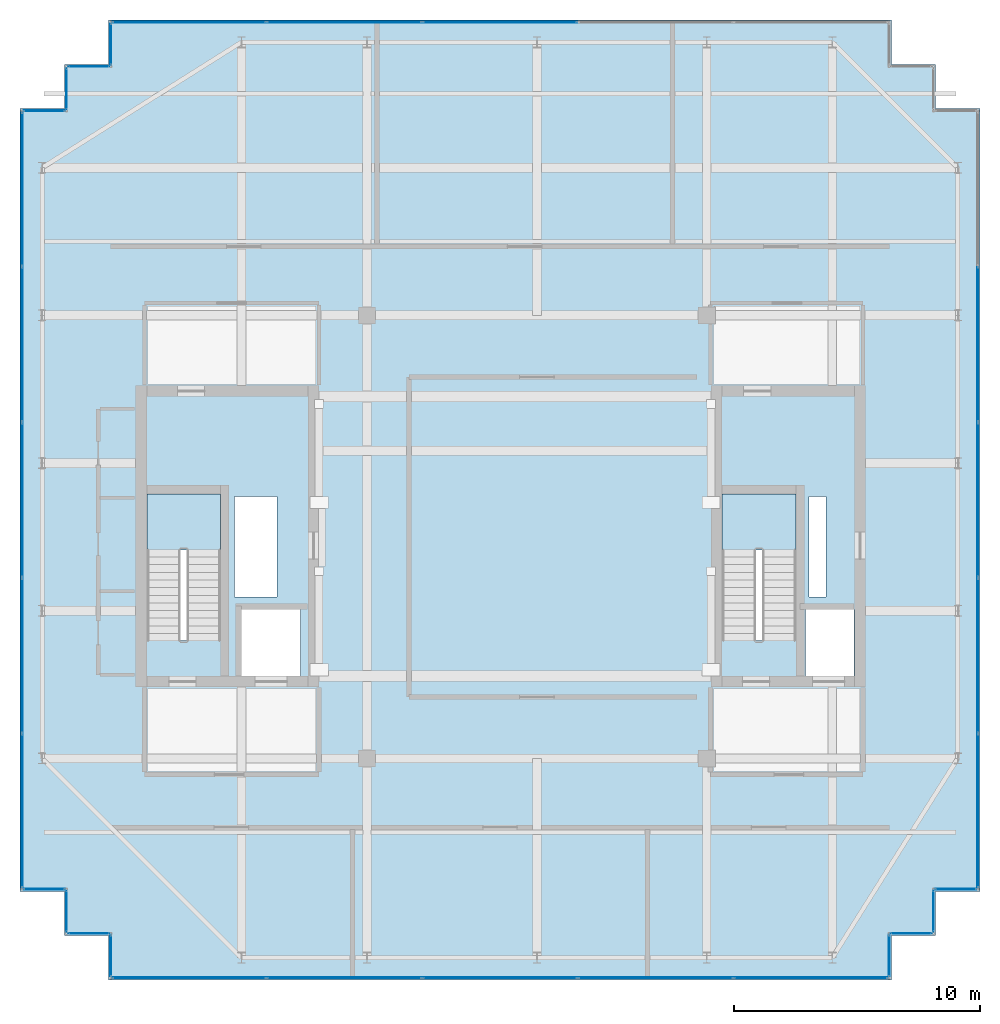
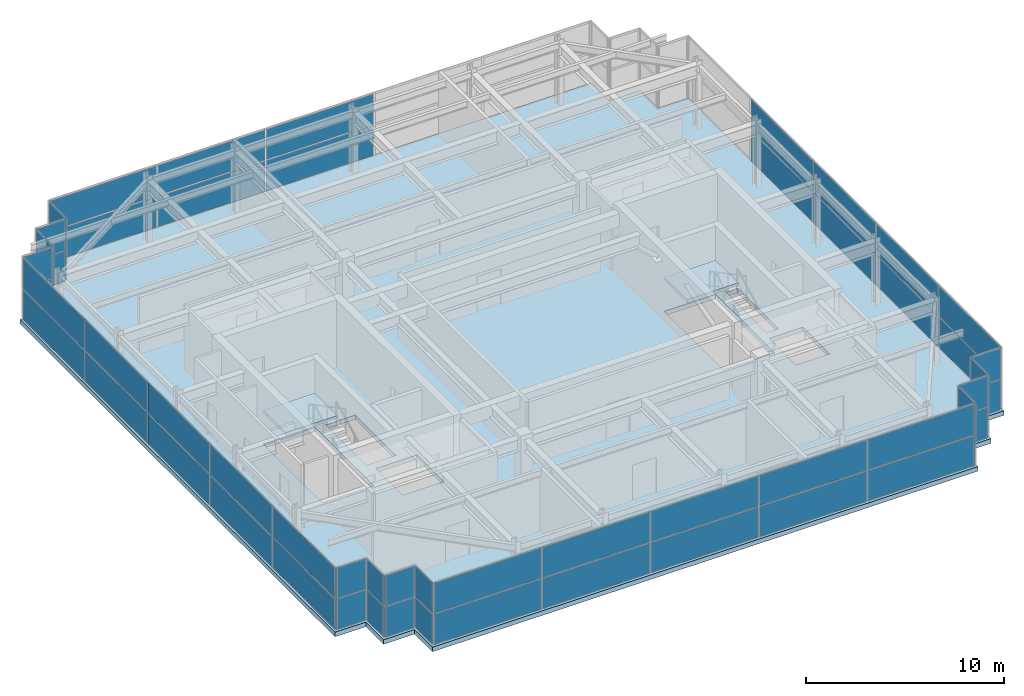
# One storey, part 29 of 32: 58 plates, 3 slabs, 18 elements without a shape of their own.
"""IFC4 building model written with IfcOpenShell, lengths in metres."""

from ifc_helpers import new_model, si_unit, direction, frame, origin, origin_2d, place, context, subcontext, project, spatial, polyline, rectangle, outline, extrude, source, transform, mapped, material, layer, layer_set, type_object, element, aggregate, save


model = new_model("IFC4")

# Units and contexts
model_context = context("Model", 3, precision=1e-05, world=origin(), true_north=direction((0.0, 1.0)))
body_context = subcontext(model_context, "Body", "Model", "MODEL_VIEW")
ifc_project = project(units=[si_unit("LENGTHUNIT", "METRE"), si_unit("AREAUNIT", "SQUARE_METRE"), si_unit("VOLUMEUNIT", "CUBIC_METRE"), si_unit("PLANEANGLEUNIT", "RADIAN"), si_unit("MASSUNIT", "GRAM", prefix="KILO")], contexts=[model_context])

# Site, building, storey
site_placement = place(None, origin())
site = spatial("IfcSite", under=ifc_project, at=site_placement, CompositionType="ELEMENT")
building_placement = place(site_placement, origin())
building = spatial("IfcBuilding", under=site, at=building_placement, Name="Khoralis Quay Care Tower", CompositionType="ELEMENT")
storey_placement = place(building_placement, frame((0.0, 0.0, 297.89990234375)))
storey = spatial("IfcBuildingStorey", under=building, at=storey_placement, Name="L78", CompositionType="ELEMENT", Elevation=297.89990234375)

# Stair, slab
ifc_material_1 = material(Name="Precast concrete C45/55", Category="concrete")
stair_type = type_object("IfcStairType", Name="ST-TWR-DOGLEG-1400", PredefinedType="HALF_TURN_STAIR", material=ifc_material_1)
stair_1_placement = place(storey_placement, origin())
stair_1 = element("IfcStair", 1, at=stair_1_placement, inside=storey, type_object=stair_type, Name="L78 West Core Exit Stair ST-T1", PredefinedType="HALF_TURN_STAIR")
ifc_layer_1 = layer(ifc_material_1, 0.199951171875)
ifc_layer_set_1 = layer_set([ifc_layer_1], Name="Precast concrete C45/55")
slab_type_1 = type_object("IfcSlabType", Name="SLB-LANDING-200", PredefinedType="LANDING", material=ifc_layer_set_1)
slab_1_placement = place(storey_placement, frame((0.0, 0.0, 1.900146484375)))
slab_1 = element("IfcSlab", 2, at=slab_1_placement, type_object=slab_type_1, Name="ST-T1 landing 1", PredefinedType="LANDING", context=body_context, shape_type="SweptSolid", body=[
    extrude(outline(polyline([(11.14990234375, 20.4599609375), (11.14990234375, 22.75), (8.14990234375, 22.75), (8.14990234375, 20.4599609375), (11.14990234375, 20.4599609375)])), origin(), (0.0, 0.0, 1.0), 0.199951171875),
])
aggregate(stair_1, [slab_1])

stair_2_placement = place(storey_placement, origin())
stair_2 = element("IfcStair", 3, at=stair_2_placement, inside=storey, type_object=stair_type, Name="L78 East Core Exit Stair ST-T2", PredefinedType="HALF_TURN_STAIR")
slab_2_placement = place(storey_placement, frame((0.0, 0.0, 1.900146484375)))
slab_2 = element("IfcSlab", 4, at=slab_2_placement, type_object=slab_type_1, Name="ST-T2 landing 1", PredefinedType="LANDING", context=body_context, shape_type="SweptSolid", body=[
    extrude(outline(polyline([(34.52001953125, 20.4599609375), (34.52001953125, 22.75), (31.52001953125, 22.75), (31.52001953125, 20.4599609375), (34.52001953125, 20.4599609375)])), origin(), (0.0, 0.0, 1.0), 0.199951171875),
])
aggregate(stair_2, [slab_2])

# Slab
ifc_material_2 = material(Name="Concrete C40/50", Category="concrete")
ifc_layer_2 = layer(ifc_material_2, 0.280029296875)
ifc_layer_set_2 = layer_set([ifc_layer_2], Name="Concrete C40/50")
slab_type_2 = type_object("IfcSlabType", Name="SLB-TWR-280", PredefinedType="FLOOR", material=ifc_layer_set_2)
slab_3_placement = place(storey_placement, frame((0.0, 0.0, -0.27978515625)))
element("IfcSlab", 5, at=slab_3_placement, inside=storey, type_object=slab_type_2, Name="Tower Floor Slab L78", PredefinedType="FLOOR", context=body_context, shape_type="SweptSolid", body=[
    extrude(outline(polyline([(6.60009765625, 3.0), (38.39990234375, 3.0), (38.39990234375, 4.800048828125), (40.199951171875, 4.800048828125), (40.199951171875, 6.60009765625), (42.0, 6.60009765625), (42.0, 38.39990234375), (40.199951171875, 38.39990234375), (40.199951171875, 40.199951171875), (38.39990234375, 40.199951171875), (38.39990234375, 42.0), (6.60009765625, 42.0), (6.60009765625, 40.199951171875), (4.800048828125, 40.199951171875), (4.800048828125, 38.39990234375), (3.0, 38.39990234375), (3.0, 6.60009765625), (4.800048828125, 6.60009765625), (4.800048828125, 4.800048828125), (6.60009765625, 4.800048828125), (6.60009765625, 3.0)]), holes=[polyline([(11.14990234375, 16.800048828125), (11.14990234375, 22.75), (8.14990234375, 22.75), (8.14990234375, 16.800048828125), (11.14990234375, 16.800048828125)]), polyline([(34.52001953125, 16.800048828125), (34.52001953125, 22.75), (31.52001953125, 22.75), (31.52001953125, 16.800048828125), (34.52001953125, 16.800048828125)]), polyline([(12.0, 15.35009765625), (14.39990234375, 15.35009765625), (14.39990234375, 18.050048828125), (12.0, 18.050048828125), (12.0, 15.35009765625)]), polyline([(34.919921875, 15.35009765625), (36.8798828125, 15.35009765625), (36.8798828125, 18.050048828125), (34.919921875, 18.050048828125), (34.919921875, 15.35009765625)]), polyline([(11.719970703125, 18.550048828125), (13.449951171875, 18.550048828125), (13.449951171875, 22.64990234375), (11.719970703125, 22.64990234375), (11.719970703125, 18.550048828125)]), polyline([(35.050048828125, 18.550048828125), (35.75, 18.550048828125), (35.75, 22.64990234375), (35.050048828125, 22.64990234375), (35.050048828125, 18.550048828125)])]), origin(), (0.0, 0.0, 1.0), 0.27978515625),
])

# Curtain wall, plates
ifc_material_3 = material(Name="Pale anodised aluminium", Category="aluminium")
ifc_layer_3 = layer(ifc_material_3, 0.199951171875)
ifc_layer_set_3 = layer_set([ifc_layer_3], Name="Pale anodised aluminium")
curtain_wall_type = type_object("IfcCurtainWallType", Name="CW-SYS-LANTERN", PredefinedType="NOTDEFINED", material=ifc_layer_set_3)
curtain_wall_1_placement = place(storey_placement, origin())
curtain_wall_1 = element("IfcCurtainWall", 6, at=curtain_wall_1_placement, inside=storey, type_object=curtain_wall_type, Name="L78 Unitised Curtain Wall CW-LN-L78-01", PredefinedType="NOTDEFINED")
ifc_material_4 = material(Name="Spandrel insulated shadow-box glass", Category="glass")
ifc_layer_4 = layer(ifc_material_4, 0.0439453125)
ifc_layer_set_4 = layer_set([ifc_layer_4], Name="Spandrel insulated shadow-box glass")
plate_type = type_object("IfcPlateType", Name="PNL-SPN-44", PredefinedType="CURTAIN_PANEL", material=ifc_layer_set_4)
shared_shape_1 = source(origin(), body_context, "Body", "SweptSolid", [
    extrude(rectangle(XDim=6.23388671875, YDim=0.028076171875, at=origin_2d()), origin(), (0.0, 0.0, 1.0), 1.8701171875),
])
plate_1_placement = place(storey_placement, frame((9.866943359375, 3.090087890625, 0.06005859375), z_axis=(0.0, 0.0, 1.0), x_axis=(1.0, 0.0, 0.0)))
plate_1 = element("IfcPlate", 7, at=plate_1_placement, type_object=plate_type, Name="CW5 panel 1.1", PredefinedType="CURTAIN_PANEL", context=body_context, shape_type="MappedRepresentation", body=[
    mapped(shared_shape_1, transform((0.0, 0.0, 0.0), scale=1.0)),
])
plate_2_placement = place(storey_placement, frame((9.866943359375, 3.090087890625, 1.989990234375), z_axis=(0.0, 0.0, 1.0), x_axis=(1.0, 0.0, 0.0)))
plate_2 = element("IfcPlate", 8, at=plate_2_placement, type_object=plate_type, Name="CW5 panel 1.2", PredefinedType="CURTAIN_PANEL", context=body_context, shape_type="MappedRepresentation", body=[
    mapped(shared_shape_1, transform((0.0, 0.0, 0.0), scale=1.0)),
])
plate_3_placement = place(storey_placement, frame((35.133056640625, 3.090087890625, 0.06005859375), z_axis=(0.0, 0.0, 1.0), x_axis=(1.0, 0.0, 0.0)))
plate_3 = element("IfcPlate", 9, at=plate_3_placement, type_object=plate_type, Name="CW5 panel 5.1", PredefinedType="CURTAIN_PANEL", context=body_context, shape_type="MappedRepresentation", body=[
    mapped(shared_shape_1, transform((0.0, 0.0, 0.0), scale=1.0)),
])
plate_4_placement = place(storey_placement, frame((35.133056640625, 3.090087890625, 1.989990234375), z_axis=(0.0, 0.0, 1.0), x_axis=(1.0, 0.0, 0.0)))
plate_4 = element("IfcPlate", 10, at=plate_4_placement, type_object=plate_type, Name="CW5 panel 5.2", PredefinedType="CURTAIN_PANEL", context=body_context, shape_type="MappedRepresentation", body=[
    mapped(shared_shape_1, transform((0.0, 0.0, 0.0), scale=1.0)),
])

curtain_wall_2_placement = place(storey_placement, origin())
curtain_wall_2 = element("IfcCurtainWall", 11, at=curtain_wall_2_placement, inside=storey, type_object=curtain_wall_type, Name="L78 Unitised Curtain Wall CW-LN-L78-06", PredefinedType="NOTDEFINED")
plate_5_placement = place(storey_placement, frame((41.909912109375, 9.866943359375, 0.06005859375), z_axis=(0.0, 0.0, 1.0), x_axis=(0.0, 1.0, 0.0)))
plate_5 = element("IfcPlate", 12, at=plate_5_placement, type_object=plate_type, Name="CW5 panel 1.1", PredefinedType="CURTAIN_PANEL", context=body_context, shape_type="MappedRepresentation", body=[
    mapped(shared_shape_1, transform((0.0, 0.0, 0.0), scale=1.0)),
])
plate_6_placement = place(storey_placement, frame((41.909912109375, 9.866943359375, 1.989990234375), z_axis=(0.0, 0.0, 1.0), x_axis=(0.0, 1.0, 0.0)))
plate_6 = element("IfcPlate", 13, at=plate_6_placement, type_object=plate_type, Name="CW5 panel 1.2", PredefinedType="CURTAIN_PANEL", context=body_context, shape_type="MappedRepresentation", body=[
    mapped(shared_shape_1, transform((0.0, 0.0, 0.0), scale=1.0)),
])

curtain_wall_3_placement = place(storey_placement, origin())
curtain_wall_3 = element("IfcCurtainWall", 14, at=curtain_wall_3_placement, inside=storey, type_object=curtain_wall_type, Name="L78 Unitised Curtain Wall CW-LN-L78-11", PredefinedType="NOTDEFINED")
plate_7_placement = place(storey_placement, frame((9.866943359375, 41.909912109375, 0.06005859375), z_axis=(0.0, 0.0, 1.0), x_axis=(-1.0, 0.0, 0.0)))
plate_7 = element("IfcPlate", 15, at=plate_7_placement, type_object=plate_type, Name="CW5 panel 5.1", PredefinedType="CURTAIN_PANEL", context=body_context, shape_type="MappedRepresentation", body=[
    mapped(shared_shape_1, transform((0.0, 0.0, 0.0), scale=1.0)),
])
plate_8_placement = place(storey_placement, frame((9.866943359375, 41.909912109375, 1.989990234375), z_axis=(0.0, 0.0, 1.0), x_axis=(-1.0, 0.0, 0.0)))
plate_8 = element("IfcPlate", 16, at=plate_8_placement, type_object=plate_type, Name="CW5 panel 5.2", PredefinedType="CURTAIN_PANEL", context=body_context, shape_type="MappedRepresentation", body=[
    mapped(shared_shape_1, transform((0.0, 0.0, 0.0), scale=1.0)),
])

curtain_wall_4_placement = place(storey_placement, origin())
curtain_wall_4 = element("IfcCurtainWall", 17, at=curtain_wall_4_placement, inside=storey, type_object=curtain_wall_type, Name="L78 Unitised Curtain Wall CW-LN-L78-16", PredefinedType="NOTDEFINED")
plate_9_placement = place(storey_placement, frame((3.090087890625, 35.133056640625, 0.06005859375), z_axis=(0.0, 0.0, 1.0), x_axis=(0.0, -1.0, 0.0)))
plate_9 = element("IfcPlate", 18, at=plate_9_placement, type_object=plate_type, Name="CW5 panel 1.1", PredefinedType="CURTAIN_PANEL", context=body_context, shape_type="MappedRepresentation", body=[
    mapped(shared_shape_1, transform((0.0, 0.0, 0.0), scale=1.0)),
])
plate_10_placement = place(storey_placement, frame((3.090087890625, 35.133056640625, 1.989990234375), z_axis=(0.0, 0.0, 1.0), x_axis=(0.0, -1.0, 0.0)))
plate_10 = element("IfcPlate", 19, at=plate_10_placement, type_object=plate_type, Name="CW5 panel 1.2", PredefinedType="CURTAIN_PANEL", context=body_context, shape_type="MappedRepresentation", body=[
    mapped(shared_shape_1, transform((0.0, 0.0, 0.0), scale=1.0)),
])
plate_11_placement = place(storey_placement, frame((3.090087890625, 9.866943359375, 0.06005859375), z_axis=(0.0, 0.0, 1.0), x_axis=(0.0, -1.0, 0.0)))
plate_11 = element("IfcPlate", 20, at=plate_11_placement, type_object=plate_type, Name="CW5 panel 5.1", PredefinedType="CURTAIN_PANEL", context=body_context, shape_type="MappedRepresentation", body=[
    mapped(shared_shape_1, transform((0.0, 0.0, 0.0), scale=1.0)),
])
plate_12_placement = place(storey_placement, frame((3.090087890625, 9.866943359375, 1.989990234375), z_axis=(0.0, 0.0, 1.0), x_axis=(0.0, -1.0, 0.0)))
plate_12 = element("IfcPlate", 21, at=plate_12_placement, type_object=plate_type, Name="CW5 panel 5.2", PredefinedType="CURTAIN_PANEL", context=body_context, shape_type="MappedRepresentation", body=[
    mapped(shared_shape_1, transform((0.0, 0.0, 0.0), scale=1.0)),
])

# Plate
shared_shape_2 = source(origin(), body_context, "Body", "SweptSolid", [
    extrude(rectangle(XDim=6.263916015625, YDim=0.028076171875, at=origin_2d()), origin(), (0.0, 0.0, 1.0), 1.8701171875),
])
plate_13_placement = place(storey_placement, frame((16.176025390625, 3.090087890625, 0.06005859375), z_axis=(0.0, 0.0, 1.0), x_axis=(1.0, 0.0, 0.0)))
plate_13 = element("IfcPlate", 22, at=plate_13_placement, type_object=plate_type, Name="CW5 panel 2.1", PredefinedType="CURTAIN_PANEL", context=body_context, shape_type="MappedRepresentation", body=[
    mapped(shared_shape_2, transform((0.0, 0.0, 0.0), scale=1.0)),
])

plate_14_placement = place(storey_placement, frame((16.176025390625, 3.090087890625, 1.989990234375), z_axis=(0.0, 0.0, 1.0), x_axis=(1.0, 0.0, 0.0)))
plate_14 = element("IfcPlate", 23, at=plate_14_placement, type_object=plate_type, Name="CW5 panel 2.2", PredefinedType="CURTAIN_PANEL", context=body_context, shape_type="MappedRepresentation", body=[
    mapped(shared_shape_2, transform((0.0, 0.0, 0.0), scale=1.0)),
])

plate_15_placement = place(storey_placement, frame((22.5, 3.090087890625, 0.06005859375), z_axis=(0.0, 0.0, 1.0), x_axis=(1.0, 0.0, 0.0)))
plate_15 = element("IfcPlate", 24, at=plate_15_placement, type_object=plate_type, Name="CW5 panel 3.1", PredefinedType="CURTAIN_PANEL", context=body_context, shape_type="MappedRepresentation", body=[
    mapped(shared_shape_2, transform((0.0, 0.0, 0.0), scale=1.0)),
])

plate_16_placement = place(storey_placement, frame((22.5, 3.090087890625, 1.989990234375), z_axis=(0.0, 0.0, 1.0), x_axis=(1.0, 0.0, 0.0)))
plate_16 = element("IfcPlate", 25, at=plate_16_placement, type_object=plate_type, Name="CW5 panel 3.2", PredefinedType="CURTAIN_PANEL", context=body_context, shape_type="MappedRepresentation", body=[
    mapped(shared_shape_2, transform((0.0, 0.0, 0.0), scale=1.0)),
])

plate_17_placement = place(storey_placement, frame((28.823974609375, 3.090087890625, 0.06005859375), z_axis=(0.0, 0.0, 1.0), x_axis=(1.0, 0.0, 0.0)))
plate_17 = element("IfcPlate", 26, at=plate_17_placement, type_object=plate_type, Name="CW5 panel 4.1", PredefinedType="CURTAIN_PANEL", context=body_context, shape_type="MappedRepresentation", body=[
    mapped(shared_shape_2, transform((0.0, 0.0, 0.0), scale=1.0)),
])

plate_18_placement = place(storey_placement, frame((28.823974609375, 3.090087890625, 1.989990234375), z_axis=(0.0, 0.0, 1.0), x_axis=(1.0, 0.0, 0.0)))
plate_18 = element("IfcPlate", 27, at=plate_18_placement, type_object=plate_type, Name="CW5 panel 4.2", PredefinedType="CURTAIN_PANEL", context=body_context, shape_type="MappedRepresentation", body=[
    mapped(shared_shape_2, transform((0.0, 0.0, 0.0), scale=1.0)),
])

aggregate(curtain_wall_1, [plate_1, plate_2, plate_13, plate_14, plate_15, plate_16, plate_17, plate_18, plate_3, plate_4])

plate_19_placement = place(storey_placement, frame((41.909912109375, 16.176025390625, 0.06005859375), z_axis=(0.0, 0.0, 1.0), x_axis=(0.0, 1.0, 0.0)))
plate_19 = element("IfcPlate", 28, at=plate_19_placement, type_object=plate_type, Name="CW5 panel 2.1", PredefinedType="CURTAIN_PANEL", context=body_context, shape_type="MappedRepresentation", body=[
    mapped(shared_shape_2, transform((0.0, 0.0, 0.0), scale=1.0)),
])

plate_20_placement = place(storey_placement, frame((41.909912109375, 16.176025390625, 1.989990234375), z_axis=(0.0, 0.0, 1.0), x_axis=(0.0, 1.0, 0.0)))
plate_20 = element("IfcPlate", 29, at=plate_20_placement, type_object=plate_type, Name="CW5 panel 2.2", PredefinedType="CURTAIN_PANEL", context=body_context, shape_type="MappedRepresentation", body=[
    mapped(shared_shape_2, transform((0.0, 0.0, 0.0), scale=1.0)),
])

plate_21_placement = place(storey_placement, frame((41.909912109375, 22.5, 0.06005859375), z_axis=(0.0, 0.0, 1.0), x_axis=(0.0, 1.0, 0.0)))
plate_21 = element("IfcPlate", 30, at=plate_21_placement, type_object=plate_type, Name="CW5 panel 3.1", PredefinedType="CURTAIN_PANEL", context=body_context, shape_type="MappedRepresentation", body=[
    mapped(shared_shape_2, transform((0.0, 0.0, 0.0), scale=1.0)),
])

plate_22_placement = place(storey_placement, frame((41.909912109375, 22.5, 1.989990234375), z_axis=(0.0, 0.0, 1.0), x_axis=(0.0, 1.0, 0.0)))
plate_22 = element("IfcPlate", 31, at=plate_22_placement, type_object=plate_type, Name="CW5 panel 3.2", PredefinedType="CURTAIN_PANEL", context=body_context, shape_type="MappedRepresentation", body=[
    mapped(shared_shape_2, transform((0.0, 0.0, 0.0), scale=1.0)),
])

plate_23_placement = place(storey_placement, frame((41.909912109375, 28.823974609375, 0.06005859375), z_axis=(0.0, 0.0, 1.0), x_axis=(0.0, 1.0, 0.0)))
plate_23 = element("IfcPlate", 32, at=plate_23_placement, type_object=plate_type, Name="CW5 panel 4.1", PredefinedType="CURTAIN_PANEL", context=body_context, shape_type="MappedRepresentation", body=[
    mapped(shared_shape_2, transform((0.0, 0.0, 0.0), scale=1.0)),
])

plate_24_placement = place(storey_placement, frame((41.909912109375, 28.823974609375, 1.989990234375), z_axis=(0.0, 0.0, 1.0), x_axis=(0.0, 1.0, 0.0)))
plate_24 = element("IfcPlate", 33, at=plate_24_placement, type_object=plate_type, Name="CW5 panel 4.2", PredefinedType="CURTAIN_PANEL", context=body_context, shape_type="MappedRepresentation", body=[
    mapped(shared_shape_2, transform((0.0, 0.0, 0.0), scale=1.0)),
])

aggregate(curtain_wall_2, [plate_5, plate_6, plate_19, plate_20, plate_21, plate_22, plate_23, plate_24])

plate_25_placement = place(storey_placement, frame((22.5, 41.909912109375, 0.06005859375), z_axis=(0.0, 0.0, 1.0), x_axis=(-1.0, 0.0, 0.0)))
plate_25 = element("IfcPlate", 34, at=plate_25_placement, type_object=plate_type, Name="CW5 panel 3.1", PredefinedType="CURTAIN_PANEL", context=body_context, shape_type="MappedRepresentation", body=[
    mapped(shared_shape_2, transform((0.0, 0.0, 0.0), scale=1.0)),
])

plate_26_placement = place(storey_placement, frame((22.5, 41.909912109375, 1.989990234375), z_axis=(0.0, 0.0, 1.0), x_axis=(-1.0, 0.0, 0.0)))
plate_26 = element("IfcPlate", 35, at=plate_26_placement, type_object=plate_type, Name="CW5 panel 3.2", PredefinedType="CURTAIN_PANEL", context=body_context, shape_type="MappedRepresentation", body=[
    mapped(shared_shape_2, transform((0.0, 0.0, 0.0), scale=1.0)),
])

plate_27_placement = place(storey_placement, frame((16.176025390625, 41.909912109375, 0.06005859375), z_axis=(0.0, 0.0, 1.0), x_axis=(-1.0, 0.0, 0.0)))
plate_27 = element("IfcPlate", 36, at=plate_27_placement, type_object=plate_type, Name="CW5 panel 4.1", PredefinedType="CURTAIN_PANEL", context=body_context, shape_type="MappedRepresentation", body=[
    mapped(shared_shape_2, transform((0.0, 0.0, 0.0), scale=1.0)),
])

plate_28_placement = place(storey_placement, frame((16.176025390625, 41.909912109375, 1.989990234375), z_axis=(0.0, 0.0, 1.0), x_axis=(-1.0, 0.0, 0.0)))
plate_28 = element("IfcPlate", 37, at=plate_28_placement, type_object=plate_type, Name="CW5 panel 4.2", PredefinedType="CURTAIN_PANEL", context=body_context, shape_type="MappedRepresentation", body=[
    mapped(shared_shape_2, transform((0.0, 0.0, 0.0), scale=1.0)),
])

aggregate(curtain_wall_3, [plate_25, plate_26, plate_27, plate_28, plate_7, plate_8])

plate_29_placement = place(storey_placement, frame((3.090087890625, 28.823974609375, 0.06005859375), z_axis=(0.0, 0.0, 1.0), x_axis=(0.0, -1.0, 0.0)))
plate_29 = element("IfcPlate", 38, at=plate_29_placement, type_object=plate_type, Name="CW5 panel 2.1", PredefinedType="CURTAIN_PANEL", context=body_context, shape_type="MappedRepresentation", body=[
    mapped(shared_shape_2, transform((0.0, 0.0, 0.0), scale=1.0)),
])

plate_30_placement = place(storey_placement, frame((3.090087890625, 28.823974609375, 1.989990234375), z_axis=(0.0, 0.0, 1.0), x_axis=(0.0, -1.0, 0.0)))
plate_30 = element("IfcPlate", 39, at=plate_30_placement, type_object=plate_type, Name="CW5 panel 2.2", PredefinedType="CURTAIN_PANEL", context=body_context, shape_type="MappedRepresentation", body=[
    mapped(shared_shape_2, transform((0.0, 0.0, 0.0), scale=1.0)),
])

plate_31_placement = place(storey_placement, frame((3.090087890625, 22.5, 0.06005859375), z_axis=(0.0, 0.0, 1.0), x_axis=(0.0, -1.0, 0.0)))
plate_31 = element("IfcPlate", 40, at=plate_31_placement, type_object=plate_type, Name="CW5 panel 3.1", PredefinedType="CURTAIN_PANEL", context=body_context, shape_type="MappedRepresentation", body=[
    mapped(shared_shape_2, transform((0.0, 0.0, 0.0), scale=1.0)),
])

plate_32_placement = place(storey_placement, frame((3.090087890625, 22.5, 1.989990234375), z_axis=(0.0, 0.0, 1.0), x_axis=(0.0, -1.0, 0.0)))
plate_32 = element("IfcPlate", 41, at=plate_32_placement, type_object=plate_type, Name="CW5 panel 3.2", PredefinedType="CURTAIN_PANEL", context=body_context, shape_type="MappedRepresentation", body=[
    mapped(shared_shape_2, transform((0.0, 0.0, 0.0), scale=1.0)),
])

plate_33_placement = place(storey_placement, frame((3.090087890625, 16.176025390625, 0.06005859375), z_axis=(0.0, 0.0, 1.0), x_axis=(0.0, -1.0, 0.0)))
plate_33 = element("IfcPlate", 42, at=plate_33_placement, type_object=plate_type, Name="CW5 panel 4.1", PredefinedType="CURTAIN_PANEL", context=body_context, shape_type="MappedRepresentation", body=[
    mapped(shared_shape_2, transform((0.0, 0.0, 0.0), scale=1.0)),
])

plate_34_placement = place(storey_placement, frame((3.090087890625, 16.176025390625, 1.989990234375), z_axis=(0.0, 0.0, 1.0), x_axis=(0.0, -1.0, 0.0)))
plate_34 = element("IfcPlate", 43, at=plate_34_placement, type_object=plate_type, Name="CW5 panel 4.2", PredefinedType="CURTAIN_PANEL", context=body_context, shape_type="MappedRepresentation", body=[
    mapped(shared_shape_2, transform((0.0, 0.0, 0.0), scale=1.0)),
])

aggregate(curtain_wall_4, [plate_9, plate_10, plate_29, plate_30, plate_31, plate_32, plate_33, plate_34, plate_11, plate_12])

# Curtain wall, plates
curtain_wall_5_placement = place(storey_placement, origin())
curtain_wall_5 = element("IfcCurtainWall", 44, at=curtain_wall_5_placement, inside=storey, type_object=curtain_wall_type, Name="L78 Unitised Curtain Wall CW-LN-L78-02", PredefinedType="NOTDEFINED")
shared_shape_3 = source(origin(), body_context, "Body", "SweptSolid", [
    extrude(rectangle(XDim=1.679931640625, YDim=0.028076171875, at=origin_2d()), origin(), (0.0, 0.0, 1.0), 1.8701171875),
])
plate_35_placement = place(storey_placement, frame((38.31005859375, 3.989990234375, 0.06005859375), z_axis=(0.0, 0.0, 1.0), x_axis=(0.0, 1.0, 0.0)))
plate_35 = element("IfcPlate", 45, at=plate_35_placement, type_object=plate_type, Name="CW5 panel 1.1", PredefinedType="CURTAIN_PANEL", context=body_context, shape_type="MappedRepresentation", body=[
    mapped(shared_shape_3, transform((0.0, 0.0, 0.0), scale=1.0)),
])
plate_36_placement = place(storey_placement, frame((38.31005859375, 3.989990234375, 1.989990234375), z_axis=(0.0, 0.0, 1.0), x_axis=(0.0, 1.0, 0.0)))
plate_36 = element("IfcPlate", 46, at=plate_36_placement, type_object=plate_type, Name="CW5 panel 1.2", PredefinedType="CURTAIN_PANEL", context=body_context, shape_type="MappedRepresentation", body=[
    mapped(shared_shape_3, transform((0.0, 0.0, 0.0), scale=1.0)),
])
aggregate(curtain_wall_5, [plate_35, plate_36])

curtain_wall_6_placement = place(storey_placement, origin())
curtain_wall_6 = element("IfcCurtainWall", 47, at=curtain_wall_6_placement, inside=storey, type_object=curtain_wall_type, Name="L78 Unitised Curtain Wall CW-LN-L78-03", PredefinedType="NOTDEFINED")
plate_37_placement = place(storey_placement, frame((39.2099609375, 4.889892578125, 0.06005859375), z_axis=(0.0, 0.0, 1.0), x_axis=(1.0, 0.0, 0.0)))
plate_37 = element("IfcPlate", 48, at=plate_37_placement, type_object=plate_type, Name="CW5 panel 1.1", PredefinedType="CURTAIN_PANEL", context=body_context, shape_type="MappedRepresentation", body=[
    mapped(shared_shape_3, transform((0.0, 0.0, 0.0), scale=1.0)),
])
plate_38_placement = place(storey_placement, frame((39.2099609375, 4.889892578125, 1.989990234375), z_axis=(0.0, 0.0, 1.0), x_axis=(1.0, 0.0, 0.0)))
plate_38 = element("IfcPlate", 49, at=plate_38_placement, type_object=plate_type, Name="CW5 panel 1.2", PredefinedType="CURTAIN_PANEL", context=body_context, shape_type="MappedRepresentation", body=[
    mapped(shared_shape_3, transform((0.0, 0.0, 0.0), scale=1.0)),
])
aggregate(curtain_wall_6, [plate_37, plate_38])

curtain_wall_7_placement = place(storey_placement, origin())
curtain_wall_7 = element("IfcCurtainWall", 50, at=curtain_wall_7_placement, inside=storey, type_object=curtain_wall_type, Name="L78 Unitised Curtain Wall CW-LN-L78-04", PredefinedType="NOTDEFINED")
plate_39_placement = place(storey_placement, frame((40.110107421875, 5.7900390625, 0.06005859375), z_axis=(0.0, 0.0, 1.0), x_axis=(0.0, 1.0, 0.0)))
plate_39 = element("IfcPlate", 51, at=plate_39_placement, type_object=plate_type, Name="CW5 panel 1.1", PredefinedType="CURTAIN_PANEL", context=body_context, shape_type="MappedRepresentation", body=[
    mapped(shared_shape_3, transform((0.0, 0.0, 0.0), scale=1.0)),
])
plate_40_placement = place(storey_placement, frame((40.110107421875, 5.7900390625, 1.989990234375), z_axis=(0.0, 0.0, 1.0), x_axis=(0.0, 1.0, 0.0)))
plate_40 = element("IfcPlate", 52, at=plate_40_placement, type_object=plate_type, Name="CW5 panel 1.2", PredefinedType="CURTAIN_PANEL", context=body_context, shape_type="MappedRepresentation", body=[
    mapped(shared_shape_3, transform((0.0, 0.0, 0.0), scale=1.0)),
])
aggregate(curtain_wall_7, [plate_39, plate_40])

curtain_wall_8_placement = place(storey_placement, origin())
curtain_wall_8 = element("IfcCurtainWall", 53, at=curtain_wall_8_placement, inside=storey, type_object=curtain_wall_type, Name="L78 Unitised Curtain Wall CW-LN-L78-05", PredefinedType="NOTDEFINED")
plate_41_placement = place(storey_placement, frame((41.010009765625, 6.68994140625, 0.06005859375), z_axis=(0.0, 0.0, 1.0), x_axis=(1.0, 0.0, 0.0)))
plate_41 = element("IfcPlate", 54, at=plate_41_placement, type_object=plate_type, Name="CW5 panel 1.1", PredefinedType="CURTAIN_PANEL", context=body_context, shape_type="MappedRepresentation", body=[
    mapped(shared_shape_3, transform((0.0, 0.0, 0.0), scale=1.0)),
])
plate_42_placement = place(storey_placement, frame((41.010009765625, 6.68994140625, 1.989990234375), z_axis=(0.0, 0.0, 1.0), x_axis=(1.0, 0.0, 0.0)))
plate_42 = element("IfcPlate", 55, at=plate_42_placement, type_object=plate_type, Name="CW5 panel 1.2", PredefinedType="CURTAIN_PANEL", context=body_context, shape_type="MappedRepresentation", body=[
    mapped(shared_shape_3, transform((0.0, 0.0, 0.0), scale=1.0)),
])
aggregate(curtain_wall_8, [plate_41, plate_42])

curtain_wall_9_placement = place(storey_placement, origin())
curtain_wall_9 = element("IfcCurtainWall", 56, at=curtain_wall_9_placement, inside=storey, type_object=curtain_wall_type, Name="L78 Unitised Curtain Wall CW-LN-L78-12", PredefinedType="NOTDEFINED")
plate_43_placement = place(storey_placement, frame((6.68994140625, 41.010009765625, 0.06005859375), z_axis=(0.0, 0.0, 1.0), x_axis=(0.0, -1.0, 0.0)))
plate_43 = element("IfcPlate", 57, at=plate_43_placement, type_object=plate_type, Name="CW5 panel 1.1", PredefinedType="CURTAIN_PANEL", context=body_context, shape_type="MappedRepresentation", body=[
    mapped(shared_shape_3, transform((0.0, 0.0, 0.0), scale=1.0)),
])
plate_44_placement = place(storey_placement, frame((6.68994140625, 41.010009765625, 1.989990234375), z_axis=(0.0, 0.0, 1.0), x_axis=(0.0, -1.0, 0.0)))
plate_44 = element("IfcPlate", 58, at=plate_44_placement, type_object=plate_type, Name="CW5 panel 1.2", PredefinedType="CURTAIN_PANEL", context=body_context, shape_type="MappedRepresentation", body=[
    mapped(shared_shape_3, transform((0.0, 0.0, 0.0), scale=1.0)),
])
aggregate(curtain_wall_9, [plate_43, plate_44])

curtain_wall_10_placement = place(storey_placement, origin())
curtain_wall_10 = element("IfcCurtainWall", 59, at=curtain_wall_10_placement, inside=storey, type_object=curtain_wall_type, Name="L78 Unitised Curtain Wall CW-LN-L78-13", PredefinedType="NOTDEFINED")
plate_45_placement = place(storey_placement, frame((5.7900390625, 40.110107421875, 0.06005859375), z_axis=(0.0, 0.0, 1.0), x_axis=(-1.0, 0.0, 0.0)))
plate_45 = element("IfcPlate", 60, at=plate_45_placement, type_object=plate_type, Name="CW5 panel 1.1", PredefinedType="CURTAIN_PANEL", context=body_context, shape_type="MappedRepresentation", body=[
    mapped(shared_shape_3, transform((0.0, 0.0, 0.0), scale=1.0)),
])
plate_46_placement = place(storey_placement, frame((5.7900390625, 40.110107421875, 1.989990234375), z_axis=(0.0, 0.0, 1.0), x_axis=(-1.0, 0.0, 0.0)))
plate_46 = element("IfcPlate", 61, at=plate_46_placement, type_object=plate_type, Name="CW5 panel 1.2", PredefinedType="CURTAIN_PANEL", context=body_context, shape_type="MappedRepresentation", body=[
    mapped(shared_shape_3, transform((0.0, 0.0, 0.0), scale=1.0)),
])
aggregate(curtain_wall_10, [plate_45, plate_46])

curtain_wall_11_placement = place(storey_placement, origin())
curtain_wall_11 = element("IfcCurtainWall", 62, at=curtain_wall_11_placement, inside=storey, type_object=curtain_wall_type, Name="L78 Unitised Curtain Wall CW-LN-L78-14", PredefinedType="NOTDEFINED")
plate_47_placement = place(storey_placement, frame((4.889892578125, 39.2099609375, 0.06005859375), z_axis=(0.0, 0.0, 1.0), x_axis=(0.0, -1.0, 0.0)))
plate_47 = element("IfcPlate", 63, at=plate_47_placement, type_object=plate_type, Name="CW5 panel 1.1", PredefinedType="CURTAIN_PANEL", context=body_context, shape_type="MappedRepresentation", body=[
    mapped(shared_shape_3, transform((0.0, 0.0, 0.0), scale=1.0)),
])
plate_48_placement = place(storey_placement, frame((4.889892578125, 39.2099609375, 1.989990234375), z_axis=(0.0, 0.0, 1.0), x_axis=(0.0, -1.0, 0.0)))
plate_48 = element("IfcPlate", 64, at=plate_48_placement, type_object=plate_type, Name="CW5 panel 1.2", PredefinedType="CURTAIN_PANEL", context=body_context, shape_type="MappedRepresentation", body=[
    mapped(shared_shape_3, transform((0.0, 0.0, 0.0), scale=1.0)),
])
aggregate(curtain_wall_11, [plate_47, plate_48])

curtain_wall_12_placement = place(storey_placement, origin())
curtain_wall_12 = element("IfcCurtainWall", 65, at=curtain_wall_12_placement, inside=storey, type_object=curtain_wall_type, Name="L78 Unitised Curtain Wall CW-LN-L78-15", PredefinedType="NOTDEFINED")
plate_49_placement = place(storey_placement, frame((3.989990234375, 38.31005859375, 0.06005859375), z_axis=(0.0, 0.0, 1.0), x_axis=(-1.0, 0.0, 0.0)))
plate_49 = element("IfcPlate", 66, at=plate_49_placement, type_object=plate_type, Name="CW5 panel 1.1", PredefinedType="CURTAIN_PANEL", context=body_context, shape_type="MappedRepresentation", body=[
    mapped(shared_shape_3, transform((0.0, 0.0, 0.0), scale=1.0)),
])
plate_50_placement = place(storey_placement, frame((3.989990234375, 38.31005859375, 1.989990234375), z_axis=(0.0, 0.0, 1.0), x_axis=(-1.0, 0.0, 0.0)))
plate_50 = element("IfcPlate", 67, at=plate_50_placement, type_object=plate_type, Name="CW5 panel 1.2", PredefinedType="CURTAIN_PANEL", context=body_context, shape_type="MappedRepresentation", body=[
    mapped(shared_shape_3, transform((0.0, 0.0, 0.0), scale=1.0)),
])
aggregate(curtain_wall_12, [plate_49, plate_50])

curtain_wall_13_placement = place(storey_placement, origin())
curtain_wall_13 = element("IfcCurtainWall", 68, at=curtain_wall_13_placement, inside=storey, type_object=curtain_wall_type, Name="L78 Unitised Curtain Wall CW-LN-L78-17", PredefinedType="NOTDEFINED")
plate_51_placement = place(storey_placement, frame((3.989990234375, 6.68994140625, 0.06005859375), z_axis=(0.0, 0.0, 1.0), x_axis=(1.0, 0.0, 0.0)))
plate_51 = element("IfcPlate", 69, at=plate_51_placement, type_object=plate_type, Name="CW5 panel 1.1", PredefinedType="CURTAIN_PANEL", context=body_context, shape_type="MappedRepresentation", body=[
    mapped(shared_shape_3, transform((0.0, 0.0, 0.0), scale=1.0)),
])
plate_52_placement = place(storey_placement, frame((3.989990234375, 6.68994140625, 1.989990234375), z_axis=(0.0, 0.0, 1.0), x_axis=(1.0, 0.0, 0.0)))
plate_52 = element("IfcPlate", 70, at=plate_52_placement, type_object=plate_type, Name="CW5 panel 1.2", PredefinedType="CURTAIN_PANEL", context=body_context, shape_type="MappedRepresentation", body=[
    mapped(shared_shape_3, transform((0.0, 0.0, 0.0), scale=1.0)),
])
aggregate(curtain_wall_13, [plate_51, plate_52])

curtain_wall_14_placement = place(storey_placement, origin())
curtain_wall_14 = element("IfcCurtainWall", 71, at=curtain_wall_14_placement, inside=storey, type_object=curtain_wall_type, Name="L78 Unitised Curtain Wall CW-LN-L78-18", PredefinedType="NOTDEFINED")
plate_53_placement = place(storey_placement, frame((4.889892578125, 5.7900390625, 0.06005859375), z_axis=(0.0, 0.0, 1.0), x_axis=(0.0, -1.0, 0.0)))
plate_53 = element("IfcPlate", 72, at=plate_53_placement, type_object=plate_type, Name="CW5 panel 1.1", PredefinedType="CURTAIN_PANEL", context=body_context, shape_type="MappedRepresentation", body=[
    mapped(shared_shape_3, transform((0.0, 0.0, 0.0), scale=1.0)),
])
plate_54_placement = place(storey_placement, frame((4.889892578125, 5.7900390625, 1.989990234375), z_axis=(0.0, 0.0, 1.0), x_axis=(0.0, -1.0, 0.0)))
plate_54 = element("IfcPlate", 73, at=plate_54_placement, type_object=plate_type, Name="CW5 panel 1.2", PredefinedType="CURTAIN_PANEL", context=body_context, shape_type="MappedRepresentation", body=[
    mapped(shared_shape_3, transform((0.0, 0.0, 0.0), scale=1.0)),
])
aggregate(curtain_wall_14, [plate_53, plate_54])

curtain_wall_15_placement = place(storey_placement, origin())
curtain_wall_15 = element("IfcCurtainWall", 74, at=curtain_wall_15_placement, inside=storey, type_object=curtain_wall_type, Name="L78 Unitised Curtain Wall CW-LN-L78-19", PredefinedType="NOTDEFINED")
plate_55_placement = place(storey_placement, frame((5.7900390625, 4.889892578125, 0.06005859375), z_axis=(0.0, 0.0, 1.0), x_axis=(1.0, 0.0, 0.0)))
plate_55 = element("IfcPlate", 75, at=plate_55_placement, type_object=plate_type, Name="CW5 panel 1.1", PredefinedType="CURTAIN_PANEL", context=body_context, shape_type="MappedRepresentation", body=[
    mapped(shared_shape_3, transform((0.0, 0.0, 0.0), scale=1.0)),
])
plate_56_placement = place(storey_placement, frame((5.7900390625, 4.889892578125, 1.989990234375), z_axis=(0.0, 0.0, 1.0), x_axis=(1.0, 0.0, 0.0)))
plate_56 = element("IfcPlate", 76, at=plate_56_placement, type_object=plate_type, Name="CW5 panel 1.2", PredefinedType="CURTAIN_PANEL", context=body_context, shape_type="MappedRepresentation", body=[
    mapped(shared_shape_3, transform((0.0, 0.0, 0.0), scale=1.0)),
])
aggregate(curtain_wall_15, [plate_55, plate_56])

curtain_wall_16_placement = place(storey_placement, origin())
curtain_wall_16 = element("IfcCurtainWall", 77, at=curtain_wall_16_placement, inside=storey, type_object=curtain_wall_type, Name="L78 Unitised Curtain Wall CW-LN-L78-20", PredefinedType="NOTDEFINED")
plate_57_placement = place(storey_placement, frame((6.68994140625, 3.989990234375, 0.06005859375), z_axis=(0.0, 0.0, 1.0), x_axis=(0.0, -1.0, 0.0)))
plate_57 = element("IfcPlate", 78, at=plate_57_placement, type_object=plate_type, Name="CW5 panel 1.1", PredefinedType="CURTAIN_PANEL", context=body_context, shape_type="MappedRepresentation", body=[
    mapped(shared_shape_3, transform((0.0, 0.0, 0.0), scale=1.0)),
])
plate_58_placement = place(storey_placement, frame((6.68994140625, 3.989990234375, 1.989990234375), z_axis=(0.0, 0.0, 1.0), x_axis=(0.0, -1.0, 0.0)))
plate_58 = element("IfcPlate", 79, at=plate_58_placement, type_object=plate_type, Name="CW5 panel 1.2", PredefinedType="CURTAIN_PANEL", context=body_context, shape_type="MappedRepresentation", body=[
    mapped(shared_shape_3, transform((0.0, 0.0, 0.0), scale=1.0)),
])
aggregate(curtain_wall_16, [plate_57, plate_58])

save(model, "model.ifc")
